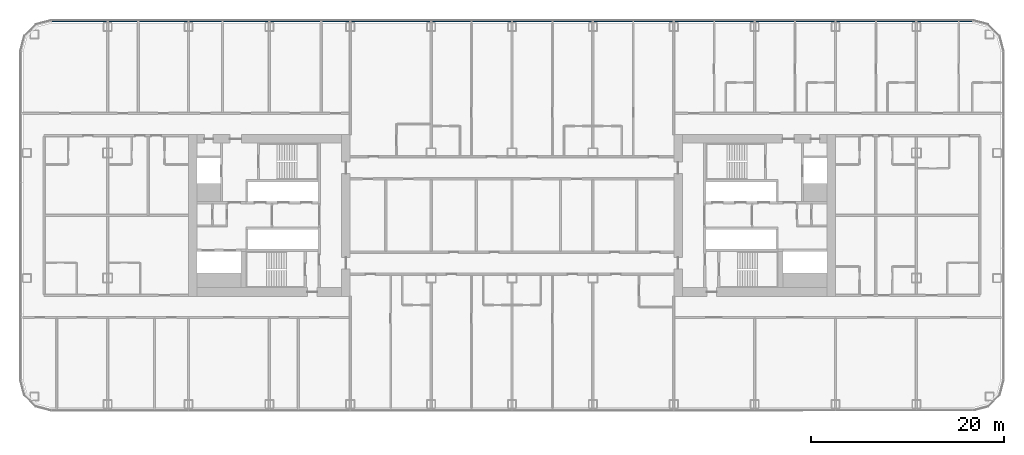
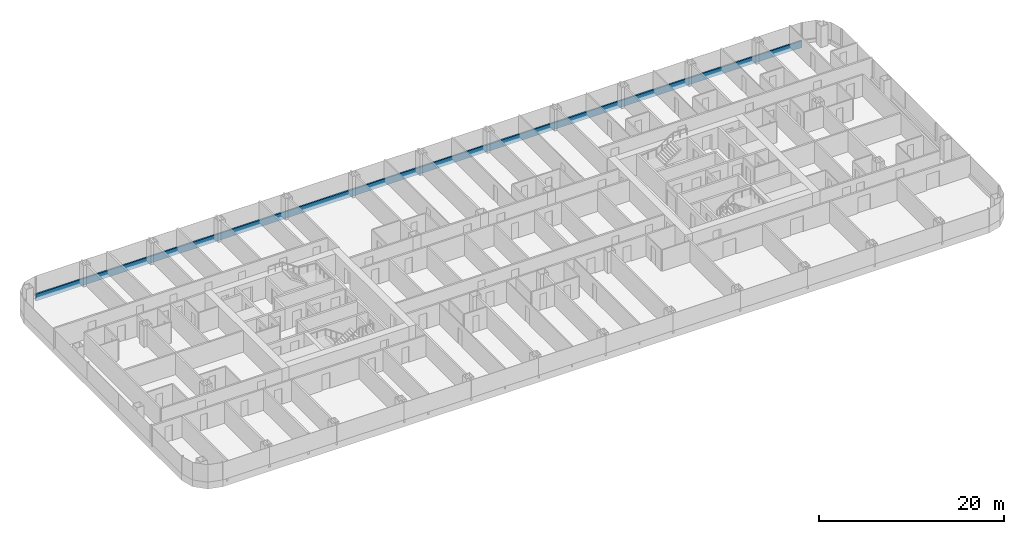
# One storey, part 8 of 28: 1 member, 1 element without a shape of its own.
"""IFC4 building model written with IfcOpenShell, lengths in metres."""

from ifc_helpers import new_model, si_unit, direction, frame, origin, origin_2d, place, context, subcontext, project, spatial, rectangle, extrude, material, layer, layer_set, material_profile, profile_set, type_object, element, aggregate, save


model = new_model("IFC4")

# Units and contexts
model_context = context("Model", 3, precision=1e-05, world=origin(), true_north=direction((0.0, 1.0)))
body_context = subcontext(model_context, "Body", "Model", "MODEL_VIEW")
ifc_project = project(units=[si_unit("LENGTHUNIT", "METRE"), si_unit("AREAUNIT", "SQUARE_METRE"), si_unit("VOLUMEUNIT", "CUBIC_METRE"), si_unit("PLANEANGLEUNIT", "RADIAN"), si_unit("MASSUNIT", "GRAM", prefix="KILO")], contexts=[model_context])

# Site, building, storey
site_placement = place(None, origin())
site = spatial("IfcSite", under=ifc_project, at=site_placement, CompositionType="ELEMENT")
building_placement = place(site_placement, origin())
building = spatial("IfcBuilding", under=site, at=building_placement, Name="Hakoniwa Tower and Hamabe Station Hall", CompositionType="ELEMENT")
storey_placement = place(building_placement, frame((0.0, 0.0, 32.60009765625)))
storey = spatial("IfcBuildingStorey", under=building, at=storey_placement, Name="L08", CompositionType="ELEMENT", Elevation=32.60009765625)

# Curtain wall, member
ifc_material_1 = material(Name="Dark low-e laminated glass", Category="glass")
ifc_layer = layer(ifc_material_1, 0.199951171875)
ifc_layer_set = layer_set([ifc_layer], Name="CW-1 UNITISED GUEST")
curtain_wall_type = type_object("IfcCurtainWallType", Name="CW-1 UNITISED GUEST", PredefinedType="NOTDEFINED", material=ifc_layer_set)
curtain_wall_placement = place(storey_placement, origin())
curtain_wall = element("IfcCurtainWall", 1, at=curtain_wall_placement, inside=storey, type_object=curtain_wall_type, Name="CW-1 curtain wall", PredefinedType="NOTDEFINED")
ifc_material_2 = material(Name="Aluminium 6063-T5 black anodised", Category="aluminium")
ifc_material_profile = material_profile(ifc_material_2, rectangle(XDim=0.199951171875, YDim=0.89990234375, at=origin_2d()), Name="CW SLAB-EDGE BAND 900X200")
ifc_profile_set = profile_set([ifc_material_profile], Name="Aluminium 6063-T5 black anodised")
member_type = type_object("IfcMemberType", Name="CW SLAB-EDGE BAND 900X200", PredefinedType="USERDEFINED", material=ifc_profile_set)
member_placement = place(storey_placement, frame((47.839599609375, 20.199951171875, -0.10009765625), z_axis=(-1.0, 0.0, 0.0), x_axis=(0.0, -1.0, 0.0)))
member = element("IfcMember", 2, at=member_placement, type_object=member_type, Name="CW-1 transom", ObjectType="TRANSOM", PredefinedType="USERDEFINED", context=body_context, shape_type="SweptSolid", body=[
    extrude(rectangle(XDim=0.199951171875, YDim=0.89990234375, at=origin_2d()), origin(), (0.0, 0.0, 1.0), 95.67919921875),
])
aggregate(curtain_wall, [member])

save(model, "model.ifc")
